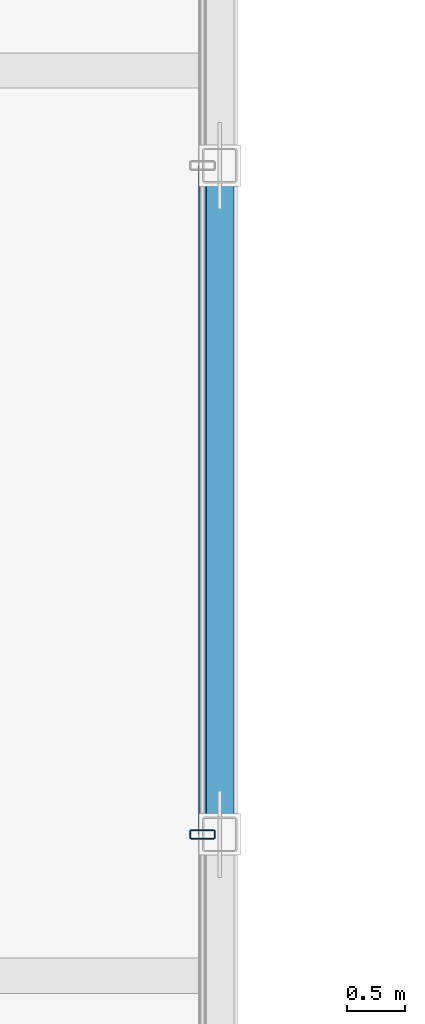
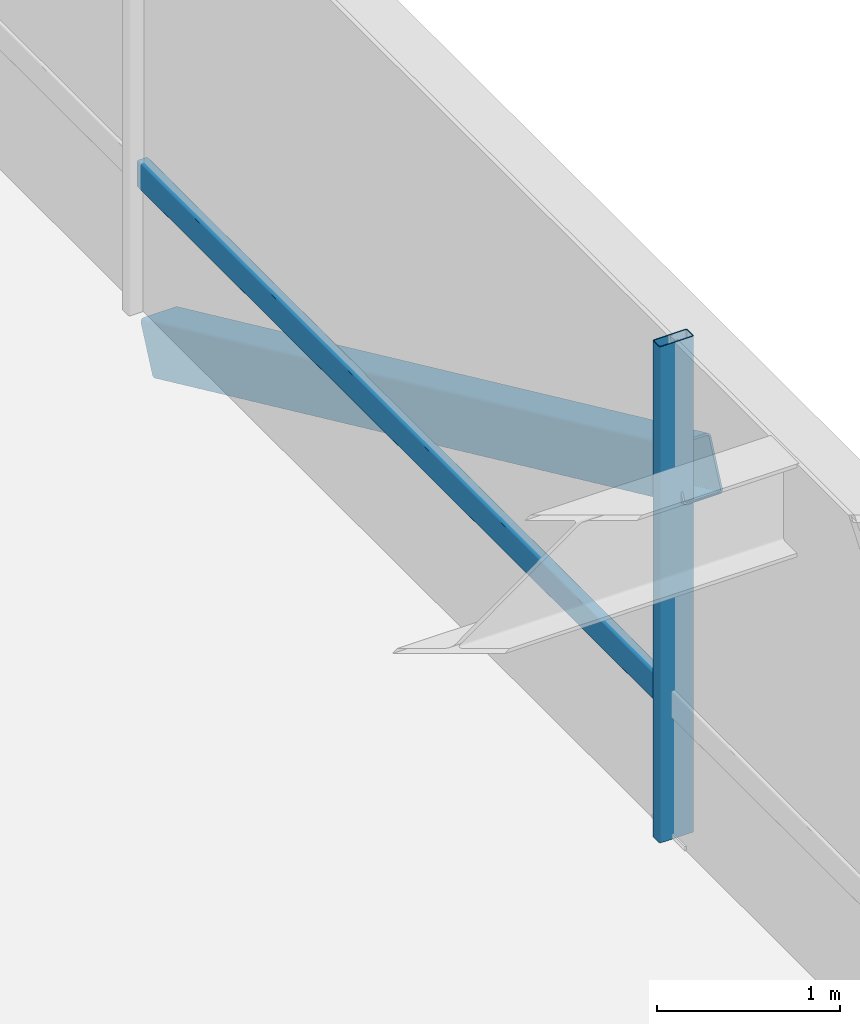
# One storey, part 10 of 36: 3 members, 1 element without a shape of its own.
"""IFC4 building model written with IfcOpenShell, lengths in metres."""

from ifc_helpers import new_model, si_unit, direction, frame, origin, origin_2d, place, context, subcontext, project, spatial, hollow_rectangle, extrude, material, layer, layer_set, material_profile, profile_set, type_object, element, aggregate, save


model = new_model("IFC4")

# Units and contexts
model_context = context("Model", 3, precision=1e-05, world=origin(), true_north=direction((0.0, 1.0)))
body_context = subcontext(model_context, "Body", "Model", "MODEL_VIEW")
ifc_project = project(units=[si_unit("LENGTHUNIT", "METRE"), si_unit("AREAUNIT", "SQUARE_METRE"), si_unit("VOLUMEUNIT", "CUBIC_METRE"), si_unit("PLANEANGLEUNIT", "RADIAN"), si_unit("MASSUNIT", "GRAM", prefix="KILO")], contexts=[model_context])

# Site, building, storey
site_placement = place(None, origin())
site = spatial("IfcSite", under=ifc_project, at=site_placement, CompositionType="ELEMENT")
building_placement = place(site_placement, origin())
building = spatial("IfcBuilding", under=site, at=building_placement, Name="Korimba Cascade Residences", CompositionType="ELEMENT")
storey_placement = place(building_placement, frame((0.0, 0.0, 146.5)))
storey = spatial("IfcBuildingStorey", under=building, at=storey_placement, Name="L42", CompositionType="ELEMENT", Elevation=146.5)

# Curtain wall, members
ifc_material_1 = material(Name="Anodised Aluminium Curtain Wall Framing", Category="aluminium")
ifc_layer = layer(ifc_material_1, 0.179931640625)
ifc_layer_set = layer_set([ifc_layer], Name="Anodised Aluminium Curtain Wall Framing")
curtain_wall_type = type_object("IfcCurtainWallType", Name="CW-BRG-SYS3", PredefinedType="NOTDEFINED", material=ifc_layer_set)
curtain_wall_placement = place(storey_placement, origin())
curtain_wall = element("IfcCurtainWall", 1, at=curtain_wall_placement, inside=storey, type_object=curtain_wall_type, Name="L42 Curtain Wall CW-L42-BRG-E", PredefinedType="NOTDEFINED")
ifc_material_2 = material(Name="Anodised Aluminium Mullion", Category="aluminium")
ifc_material_profile_1 = material_profile(ifc_material_2, hollow_rectangle(XDim=0.080078125, YDim=0.219970703125, WallThickness=0.00634765625, InnerFilletRadius=0.00634765625, OuterFilletRadius=0.0126953125, at=origin_2d()), Name="Anodised Aluminium Mullion")
ifc_profile_set_1 = profile_set([ifc_material_profile_1], Name="Anodised Aluminium Mullion")
member_type_1 = type_object("IfcMemberType", Name="CWM-MUL-220", PredefinedType="MULLION", material=ifc_profile_set_1)
member_1_placement = place(storey_placement, frame((111.949951171875, 38.89990234375, 0.0), z_axis=(0.0, 0.0, 1.0), x_axis=(0.0, 1.0, 0.0)))
member_1 = element("IfcMember", 2, at=member_1_placement, type_object=member_type_1, Name="CW-L42-BRG-E Mullion 2", PredefinedType="MULLION", context=body_context, shape_type="SweptSolid", body=[
    extrude(hollow_rectangle(XDim=0.080078125, YDim=0.219970703125, WallThickness=0.00634765625, InnerFilletRadius=0.00634765625, OuterFilletRadius=0.0126953125, at=origin_2d()), origin(), (0.0, 0.0, 1.0), 3.31005859375),
])
ifc_material_3 = material(Name="Anodised Aluminium Transom", Category="aluminium")
ifc_material_profile_2 = material_profile(ifc_material_3, hollow_rectangle(XDim=0.070068359375, YDim=0.179931640625, WallThickness=0.0048828125, InnerFilletRadius=0.0048828125, OuterFilletRadius=0.010009765625, at=origin_2d()), Name="Anodised Aluminium Transom")
ifc_profile_set_2 = profile_set([ifc_material_profile_2], Name="Anodised Aluminium Transom")
member_type_2 = type_object("IfcMemberType", Name="CWM-TRN-150", PredefinedType="USERDEFINED", material=ifc_profile_set_2)
member_2_placement = place(storey_placement, frame((111.949951171875, 38.89990234375, 0.89990234375), z_axis=(0.0, 1.0, 0.0), x_axis=(-1.0, 0.0, 0.0)))
member_2 = element("IfcMember", 3, at=member_2_placement, type_object=member_type_2, Name="CW-L42-BRG-E Transom 2", ObjectType="TRANSOM", PredefinedType="USERDEFINED", context=body_context, shape_type="SweptSolid", body=[
    extrude(hollow_rectangle(XDim=0.070068359375, YDim=0.179931640625, WallThickness=0.0048828125, InnerFilletRadius=0.0048828125, OuterFilletRadius=0.010009765625, at=origin_2d()), origin(), (0.0, 0.0, 1.0), 5.800048828125),
])
aggregate(curtain_wall, [member_1, member_2])

# Member
ifc_material_4 = material(Name="Steel S460", Category="steel")
ifc_material_profile_3 = material_profile(ifc_material_4, hollow_rectangle(XDim=0.25, YDim=0.35009765625, WallThickness=0.012451171875, InnerFilletRadius=0.012451171875, OuterFilletRadius=0.02490234375, at=origin_2d()), Name="Steel S460")
ifc_profile_set_3 = profile_set([ifc_material_profile_3], Name="Steel S460")
member_type_3 = type_object("IfcMemberType", Name="MEM-BRG-SHS350", PredefinedType="BRACE", material=ifc_profile_set_3)
member_3_placement = place(storey_placement, frame((112.10009765625, 38.89990234375, 2.38330078125), z_axis=(0.0, 0.9081740859, -0.418592677552), x_axis=(-1.0, 0.0, 0.0)))
element("IfcMember", 4, at=member_3_placement, inside=storey, type_object=member_type_3, Name="L42 Mid-Bridge Warren Diagonal E2", PredefinedType="BRACE", context=body_context, shape_type="SweptSolid", body=[
    extrude(hollow_rectangle(XDim=0.25, YDim=0.35009765625, WallThickness=0.012451171875, InnerFilletRadius=0.012451171875, OuterFilletRadius=0.02490234375, at=origin_2d()), origin(), (0.0, 0.0, 1.0), 6.386474609375),
])

save(model, "model.ifc")
